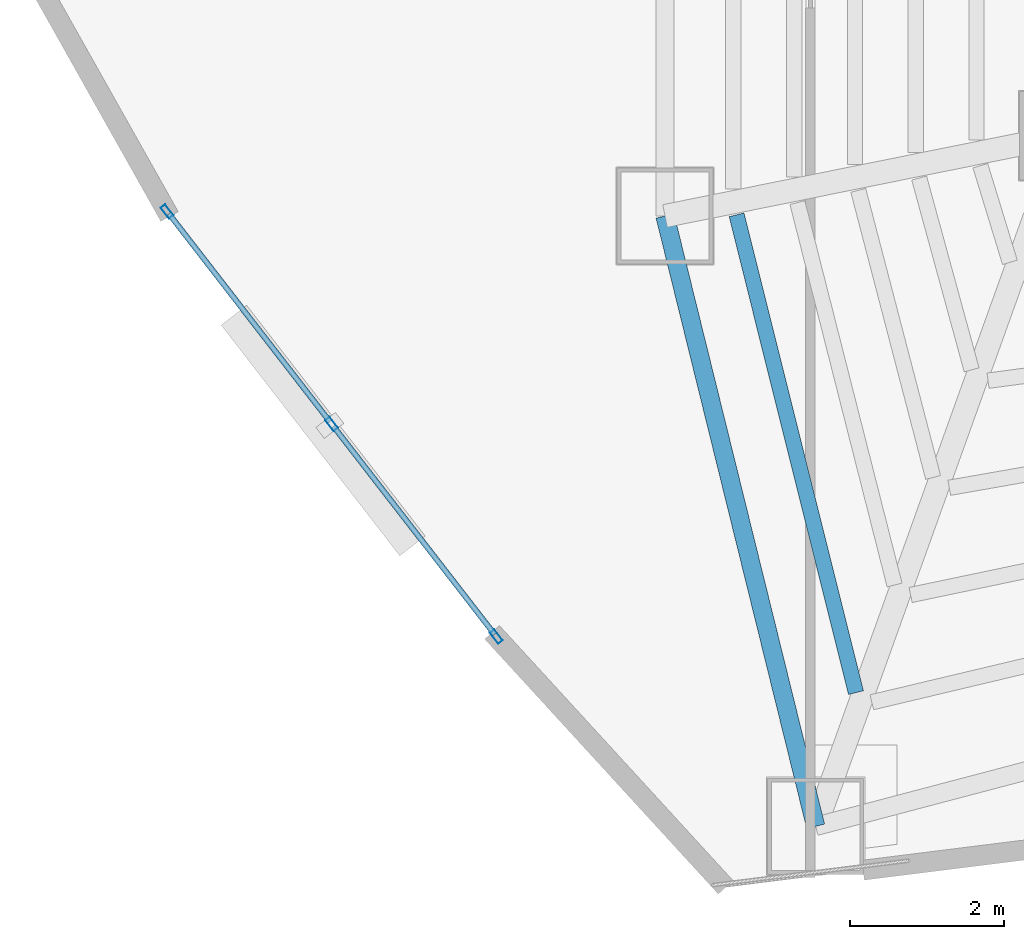
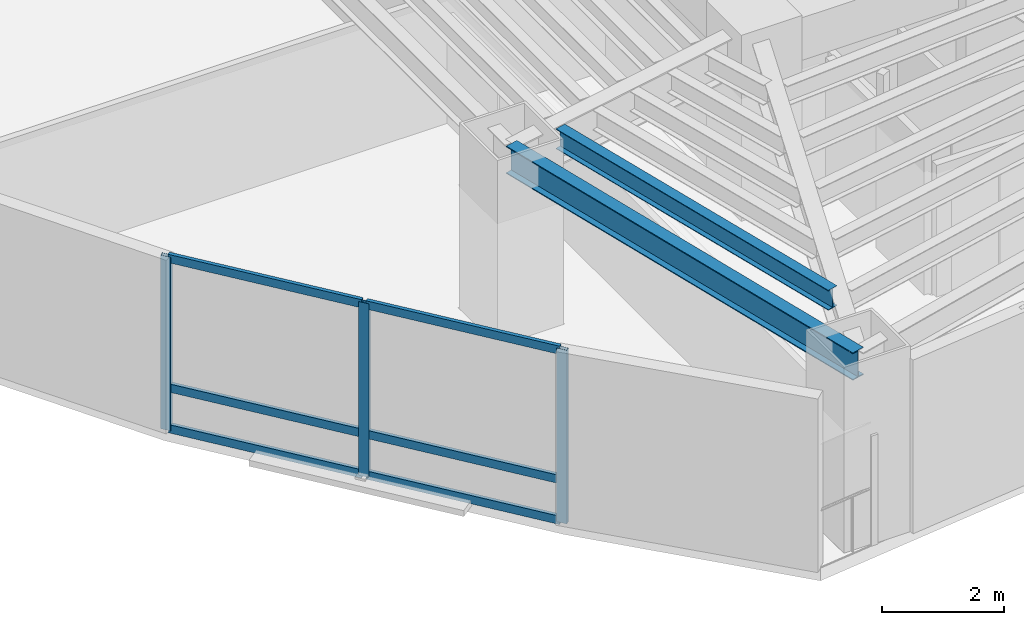
# One storey, part 3 of 23: 9 members, 2 beams, 1 element without a shape of its own.
"""IFC4 building model written with IfcOpenShell, lengths in metres."""

from ifc_helpers import new_model, si_unit, direction, frame, origin, origin_2d, place, context, subcontext, project, spatial, hollow_rectangle, i_section, extrude, material, layer, layer_set, material_profile, profile_set, type_object, element, aggregate, save


model = new_model("IFC4")

# Units and contexts
model_context = context("Model", 3, precision=1e-05, world=origin(), true_north=direction((0.0, 1.0)))
body_context = subcontext(model_context, "Body", "Model", "MODEL_VIEW")
ifc_project = project(units=[si_unit("LENGTHUNIT", "METRE"), si_unit("AREAUNIT", "SQUARE_METRE"), si_unit("VOLUMEUNIT", "CUBIC_METRE"), si_unit("PLANEANGLEUNIT", "RADIAN"), si_unit("MASSUNIT", "GRAM", prefix="KILO")], contexts=[model_context])

# Site, building, storey
site_placement = place(None, origin())
site = spatial("IfcSite", under=ifc_project, at=site_placement, CompositionType="ELEMENT")
building_placement = place(site_placement, origin())
building = spatial("IfcBuilding", under=site, at=building_placement, Name="Menara Vayukalpa", CompositionType="ELEMENT")
storey_placement = place(building_placement, frame((0.0, 0.0, 111.419921875)))
storey = spatial("IfcBuildingStorey", under=building, at=storey_placement, Name="L27", CompositionType="ELEMENT", Elevation=111.419921875)

# Beams
ifc_material_1 = material(Name="Steel S355", Category="steel")
ifc_material_profile_1 = material_profile(ifc_material_1, i_section(OverallWidth=0.199951171875, OverallDepth=0.39990234375, WebThickness=0.008056640625, FlangeThickness=0.012939453125, at=origin_2d()), Name="WF 400x200x8x13")
ifc_profile_set_1 = profile_set([ifc_material_profile_1], Name="Steel S355")
beam_type_1 = type_object("IfcBeamType", Name="BM-SJ2", PredefinedType="JOIST", material=ifc_profile_set_1)
beam_1_placement = place(storey_placement, frame((13.53857421875, 16.168701171875, 3.27001953125), z_axis=(0.242481900969, -0.970155929582, 0.0), x_axis=(0.970155929582, 0.242481900969, 0.0)))
element("IfcBeam", 1, at=beam_1_placement, inside=storey, type_object=beam_type_1, Name="L27 Secondary Floor Joist SJ06-5", PredefinedType="JOIST", context=body_context, shape_type="SweptSolid", body=[
    extrude(i_section(OverallWidth=0.199951171875, OverallDepth=0.39990234375, WebThickness=0.008056640625, FlangeThickness=0.012939453125, at=origin_2d()), origin(), (0.0, 0.0, 1.0), 6.41552734375),
])
ifc_material_2 = material(Name="Steel S355", Category="steel")
ifc_material_profile_2 = material_profile(ifc_material_2, i_section(OverallWidth=0.239990234375, OverallDepth=0.550048828125, WebThickness=0.010986328125, FlangeThickness=0.01904296875, at=origin_2d()), Name="WF 550x240x11x19")
ifc_profile_set_2 = profile_set([ifc_material_profile_2], Name="Steel S355")
beam_type_2 = type_object("IfcBeamType", Name="BM-SP2", PredefinedType="SPANDREL", material=ifc_profile_set_2)
beam_2_placement = place(storey_placement, frame((12.606689453125, 16.154296875, 3.195068359375), z_axis=(0.239602739234, -0.970871014786, 0.0), x_axis=(0.970871014786, 0.239602739234, 0.0)))
element("IfcBeam", 2, at=beam_2_placement, inside=storey, type_object=beam_type_2, Name="L27 Perimeter Spandrel Beam SP06", PredefinedType="SPANDREL", context=body_context, shape_type="SweptSolid", body=[
    extrude(i_section(OverallWidth=0.239990234375, OverallDepth=0.550048828125, WebThickness=0.010986328125, FlangeThickness=0.01904296875, at=origin_2d()), origin(), (0.0, 0.0, 1.0), 8.190185546875),
])

# Curtain wall, members
ifc_material_3 = material(Name="Anodised Terracotta Aluminium Alloy 6063-T6", Category="masonry")
ifc_layer = layer(ifc_material_3, 0.179931640625)
ifc_layer_set = layer_set([ifc_layer], Name="Anodised Terracotta Aluminium Alloy 6063-T6")
curtain_wall_type = type_object("IfcCurtainWallType", Name="CW-CW4", PredefinedType="USERDEFINED", material=ifc_layer_set)
curtain_wall_placement = place(storey_placement, origin())
curtain_wall = element("IfcCurtainWall", 3, at=curtain_wall_placement, inside=storey, type_object=curtain_wall_type, Name="L27 Sky Bar Cantilever Glazed Curtain Wall CW4 13", ObjectType="UNITISED", PredefinedType="USERDEFINED")
ifc_material_4 = material(Name="Anodised Terracotta Aluminium Alloy 6063-T6", Category="masonry")
ifc_material_profile_3 = material_profile(ifc_material_4, hollow_rectangle(XDim=0.074951171875, YDim=0.179931640625, WallThickness=0.00390625, at=origin_2d()), Name="ALU 75x180x4")
ifc_profile_set_3 = profile_set([ifc_material_profile_3], Name="Anodised Terracotta Aluminium Alloy 6063-T6")
member_type_1 = type_object("IfcMemberType", Name="CWM-CW4", PredefinedType="MULLION", material=ifc_profile_set_3)
member_1_placement = place(storey_placement, frame((6.11962890625, 16.21337890625, 0.0), z_axis=(0.0, 0.0, 1.0), x_axis=(0.790711577857, 0.612188860273, 0.0)))
member_1 = element("IfcMember", 4, at=member_1_placement, type_object=member_type_1, Name="CW4 mullion 1", PredefinedType="MULLION", context=body_context, shape_type="SweptSolid", body=[
    extrude(hollow_rectangle(XDim=0.074951171875, YDim=0.179931640625, WallThickness=0.00390625, at=origin_2d()), origin(), (0.0, 0.0, 1.0), 3.469970703125),
])
member_2_placement = place(storey_placement, frame((8.263916015625, 13.44384765625, 0.0), z_axis=(0.0, 0.0, 1.0), x_axis=(0.790711577857, 0.612188860273, 0.0)))
member_2 = element("IfcMember", 5, at=member_2_placement, type_object=member_type_1, Name="CW4 mullion 2", PredefinedType="MULLION", context=body_context, shape_type="SweptSolid", body=[
    extrude(hollow_rectangle(XDim=0.074951171875, YDim=0.179931640625, WallThickness=0.00390625, at=origin_2d()), origin(), (0.0, 0.0, 1.0), 3.469970703125),
])
member_3_placement = place(storey_placement, frame((10.408203125, 10.67431640625, 0.0), z_axis=(0.0, 0.0, 1.0), x_axis=(0.790711577857, 0.612188860273, 0.0)))
member_3 = element("IfcMember", 6, at=member_3_placement, type_object=member_type_1, Name="CW4 mullion 3", PredefinedType="MULLION", context=body_context, shape_type="SweptSolid", body=[
    extrude(hollow_rectangle(XDim=0.074951171875, YDim=0.179931640625, WallThickness=0.00390625, at=origin_2d()), origin(), (0.0, 0.0, 1.0), 3.469970703125),
])
ifc_material_5 = material(Name="Anodised Terracotta Aluminium Alloy 6063-T6", Category="masonry")
ifc_material_profile_4 = material_profile(ifc_material_5, hollow_rectangle(XDim=0.070068359375, YDim=0.1650390625, WallThickness=0.00390625, at=origin_2d()), Name="ALU 70x165x4")
ifc_profile_set_4 = profile_set([ifc_material_profile_4], Name="Anodised Terracotta Aluminium Alloy 6063-T6")
member_type_2 = type_object("IfcMemberType", Name="CWT-CW4", PredefinedType="USERDEFINED", material=ifc_profile_set_4)
member_4_placement = place(storey_placement, frame((6.142578125, 16.183837890625, 0.03515625), z_axis=(0.612168883407, -0.790727044047, 0.0), x_axis=(0.790727044047, 0.612168883407, 0.0)))
member_4 = element("IfcMember", 7, at=member_4_placement, type_object=member_type_2, Name="CW4 transom 1.1", ObjectType="TRANSOM", PredefinedType="USERDEFINED", context=body_context, shape_type="SweptSolid", body=[
    extrude(hollow_rectangle(XDim=0.070068359375, YDim=0.1650390625, WallThickness=0.00390625, at=origin_2d()), origin(), (0.0, 0.0, 1.0), 3.427734375),
])
member_5_placement = place(storey_placement, frame((6.142578125, 16.183837890625, 0.85009765625), z_axis=(0.612168883407, -0.790727044047, 0.0), x_axis=(0.790727044047, 0.612168883407, 0.0)))
member_5 = element("IfcMember", 8, at=member_5_placement, type_object=member_type_2, Name="CW4 transom 1.2", ObjectType="TRANSOM", PredefinedType="USERDEFINED", context=body_context, shape_type="SweptSolid", body=[
    extrude(hollow_rectangle(XDim=0.070068359375, YDim=0.1650390625, WallThickness=0.00390625, at=origin_2d()), origin(), (0.0, 0.0, 1.0), 3.427734375),
])
member_6_placement = place(storey_placement, frame((6.142578125, 16.183837890625, 3.43505859375), z_axis=(0.612168883407, -0.790727044047, 0.0), x_axis=(0.790727044047, 0.612168883407, 0.0)))
member_6 = element("IfcMember", 9, at=member_6_placement, type_object=member_type_2, Name="CW4 transom 1.3", ObjectType="TRANSOM", PredefinedType="USERDEFINED", context=body_context, shape_type="SweptSolid", body=[
    extrude(hollow_rectangle(XDim=0.070068359375, YDim=0.1650390625, WallThickness=0.00390625, at=origin_2d()), origin(), (0.0, 0.0, 1.0), 3.427734375),
])
member_7_placement = place(storey_placement, frame((8.286865234375, 13.414306640625, 0.03515625), z_axis=(0.612168883407, -0.790727044047, 0.0), x_axis=(0.790727044047, 0.612168883407, 0.0)))
member_7 = element("IfcMember", 10, at=member_7_placement, type_object=member_type_2, Name="CW4 transom 2.1", ObjectType="TRANSOM", PredefinedType="USERDEFINED", context=body_context, shape_type="SweptSolid", body=[
    extrude(hollow_rectangle(XDim=0.070068359375, YDim=0.1650390625, WallThickness=0.00390625, at=origin_2d()), origin(), (0.0, 0.0, 1.0), 3.427734375),
])
member_8_placement = place(storey_placement, frame((8.286865234375, 13.414306640625, 0.85009765625), z_axis=(0.612168883407, -0.790727044047, 0.0), x_axis=(0.790727044047, 0.612168883407, 0.0)))
member_8 = element("IfcMember", 11, at=member_8_placement, type_object=member_type_2, Name="CW4 transom 2.2", ObjectType="TRANSOM", PredefinedType="USERDEFINED", context=body_context, shape_type="SweptSolid", body=[
    extrude(hollow_rectangle(XDim=0.070068359375, YDim=0.1650390625, WallThickness=0.00390625, at=origin_2d()), origin(), (0.0, 0.0, 1.0), 3.427734375),
])
member_9_placement = place(storey_placement, frame((8.286865234375, 13.414306640625, 3.43505859375), z_axis=(0.612168883407, -0.790727044047, 0.0), x_axis=(0.790727044047, 0.612168883407, 0.0)))
member_9 = element("IfcMember", 12, at=member_9_placement, type_object=member_type_2, Name="CW4 transom 2.3", ObjectType="TRANSOM", PredefinedType="USERDEFINED", context=body_context, shape_type="SweptSolid", body=[
    extrude(hollow_rectangle(XDim=0.070068359375, YDim=0.1650390625, WallThickness=0.00390625, at=origin_2d()), origin(), (0.0, 0.0, 1.0), 3.427734375),
])
aggregate(curtain_wall, [member_1, member_2, member_3, member_4, member_5, member_6, member_7, member_8, member_9])

save(model, "model.ifc")
